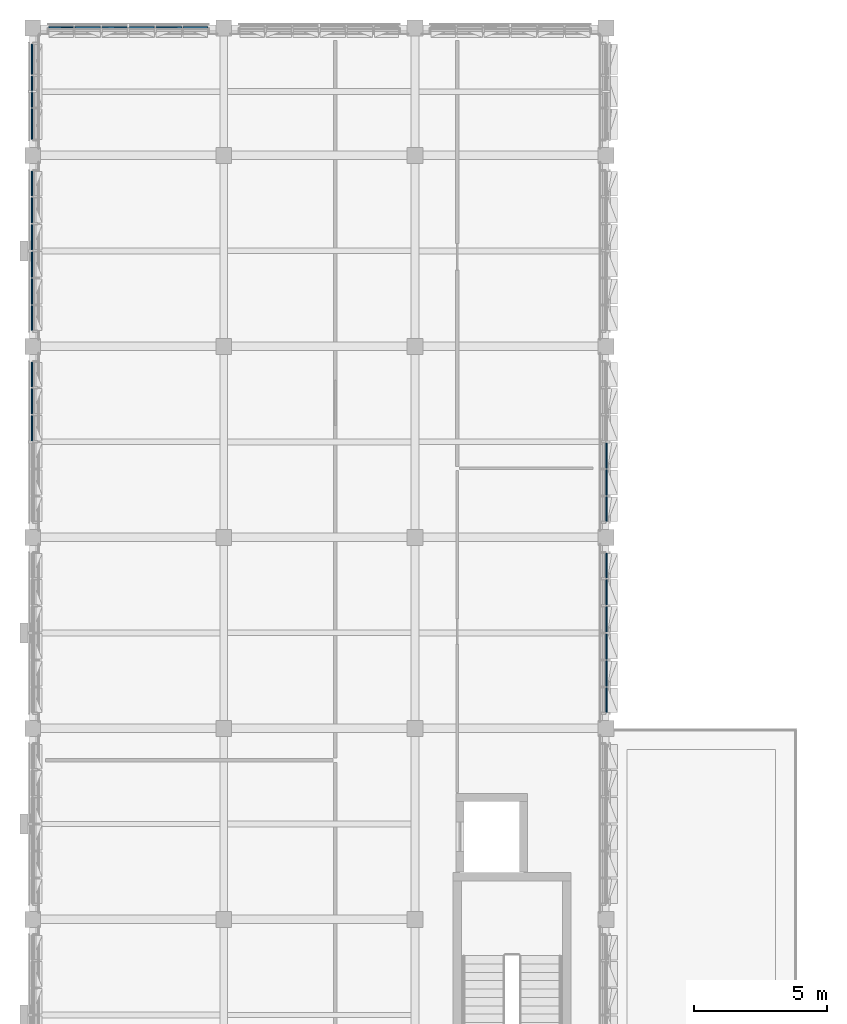
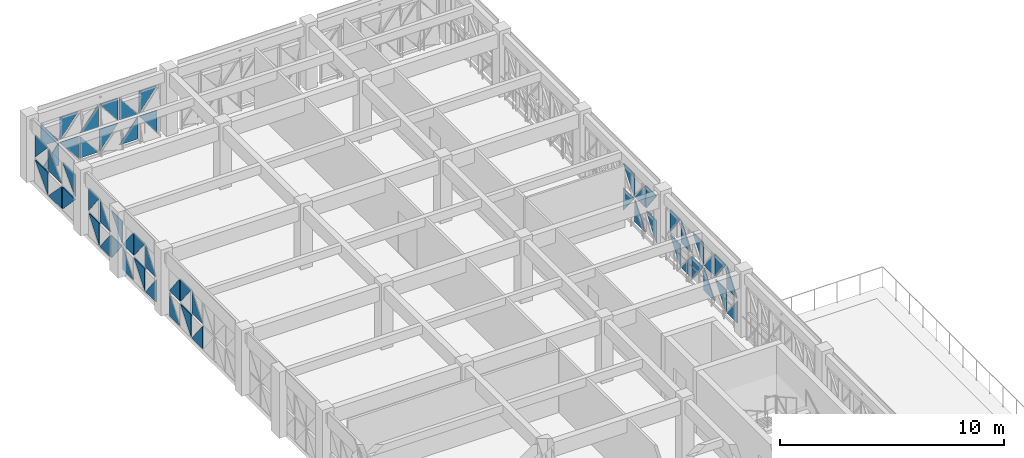
# One storey, part 44 of 99: 54 plates, 6 elements without a shape of their own.
"""IFC4 building model written with IfcOpenShell, lengths in metres."""

import ifcopenshell
import ifcopenshell.guid

model = None  # the IFC model being written
_history = None  # IfcOwnerHistory: only IFC2X3 demands one
_inside = {}  # id of a spatial element -> (the spatial element, [elements in it])
_under = {}  # id of a project, library or spatial element -> (it, [spatial elements below it])
_declared = {}  # id of a project -> (the project, [libraries it declares])
_typed = {}  # id of a type object -> (the type object, [elements of that type])
_made_of = {}  # id of a material, layer set ... -> (it, [elements and type objects made of it])


def new_model(schema):
    """Start an empty IFC model of exactly this schema.

    Asked for "IFC4X3", IfcOpenShell would pick the latest addendum, in which some entities
    have other attributes; the version numbers below select the first issue.
    IFC2X3 requires an IfcOwnerHistory on every rooted entity: one is made here for all.
    """
    global model, _history
    if schema == "IFC4X3":
        model = ifcopenshell.file(schema_version=(4, 3, 0, 0))
    else:
        model = ifcopenshell.file(schema=schema)
    _inside.clear()
    _under.clear()
    _declared.clear()
    _typed.clear()
    _made_of.clear()
    _history = None
    if model.schema == "IFC2X3":
        org = make("IfcOrganization", Name="unknown")
        user = make(
            "IfcPersonAndOrganization",
            ThePerson=make("IfcPerson", FamilyName="unknown"),
            TheOrganization=org,
        )
        app = make(
            "IfcApplication",
            ApplicationDeveloper=org,
            Version="unknown",
            ApplicationFullName="unknown",
            ApplicationIdentifier="unknown",
        )
        _history = make(
            "IfcOwnerHistory",
            OwningUser=user,
            OwningApplication=app,
            ChangeAction="ADDED",
            CreationDate=0,
        )
    return model


def make(cls, **values):
    """One entity of the class cls with the attributes given. An attribute that is None is left unset."""
    return model.create_entity(
        cls, **{name: value for name, value in values.items() if value is not None}
    )


def rooted(cls, **values):
    """An entity with a GlobalId (a new one), such as an element, a storey or a relation."""
    return make(cls, GlobalId=ifcopenshell.guid.new(), OwnerHistory=_history, **values)


def si_unit(unit_type, name, prefix=None):
    """IfcSIUnit, for example si_unit("LENGTHUNIT", "METRE", prefix="MILLI")."""
    return make("IfcSIUnit", UnitType=unit_type, Prefix=prefix, Name=name)


def assignment(units):
    """IfcUnitAssignment: the units of a project."""
    return None if units is None else make("IfcUnitAssignment", Units=units)


def point(xyz):
    """IfcCartesianPoint."""
    return None if xyz is None else make("IfcCartesianPoint", Coordinates=xyz)


def direction(xyz):
    """IfcDirection."""
    return None if xyz is None else make("IfcDirection", DirectionRatios=xyz)


def frame(location, z_axis=None, x_axis=None):
    """IfcAxis2Placement3D, a coordinate frame: its origin and axes. An axis left out is left unset."""
    return make(
        "IfcAxis2Placement3D",
        Location=point(location),
        Axis=direction(z_axis),
        RefDirection=direction(x_axis),
    )


def origin():
    """The frame at (0, 0, 0) with its axes left unset."""
    return frame((0.0, 0.0, 0.0))


def place(relative_to, where):
    """IfcLocalPlacement: puts the frame where relative to a parent placement (None: the world)."""
    return make(
        "IfcLocalPlacement", PlacementRelTo=relative_to, RelativePlacement=where
    )


def context(
    kind, dimensions, precision=None, world=None, true_north=None, identifier=None
):
    """IfcGeometricRepresentationContext, for example the 3D "Model" context."""
    return make(
        "IfcGeometricRepresentationContext",
        ContextIdentifier=identifier,
        ContextType=kind,
        CoordinateSpaceDimension=dimensions,
        Precision=precision,
        WorldCoordinateSystem=world,
        TrueNorth=true_north,
    )


def subcontext(parent, identifier, kind, view, scale=None):
    """IfcGeometricRepresentationSubContext, for example "Body" below "Model"."""
    return make(
        "IfcGeometricRepresentationSubContext",
        ContextIdentifier=identifier,
        ContextType=kind,
        ParentContext=parent,
        TargetScale=scale,
        TargetView=view,
    )


def project(units=None, contexts=None):
    """IfcProject with its units and contexts."""
    return rooted(
        "IfcProject",
        Name="project",
        RepresentationContexts=contexts,
        UnitsInContext=assignment(units),
    )


def spatial(cls, under=None, at=None, **own):
    """A site, building, storey or space (cls), placed at a placement, below another one or the project."""
    s = rooted(cls, ObjectPlacement=at, **own)
    if under is not None:
        _under.setdefault(under.id(), (under, []))[1].append(s)
    return s


def polyline(points):
    """IfcPolyline through the points."""
    return make("IfcPolyline", Points=[point(p) for p in points])


def outline(outer, holes=None, kind="AREA"):
    """IfcArbitraryClosedProfileDef: a profile drawn as a closed curve; with holes, ...WithVoids."""
    if holes is None:
        return make("IfcArbitraryClosedProfileDef", ProfileType=kind, OuterCurve=outer)
    return make(
        "IfcArbitraryProfileDefWithVoids",
        ProfileType=kind,
        OuterCurve=outer,
        InnerCurves=holes,
    )


def extrude(swept, where, along, depth):
    """IfcExtrudedAreaSolid: the profile swept, set in the frame where, extruded along a direction by depth."""
    return make(
        "IfcExtrudedAreaSolid",
        SweptArea=swept,
        Position=where,
        ExtrudedDirection=direction(along),
        Depth=depth,
    )


def shape(context_of_items, identifier, shape_type, items):
    """IfcShapeRepresentation: the items that make up one representation, for example the "Body"."""
    return make(
        "IfcShapeRepresentation",
        ContextOfItems=context_of_items,
        RepresentationIdentifier=identifier,
        RepresentationType=shape_type,
        Items=items,
    )


def material(Name=None, Category=None):
    """IfcMaterial."""
    return make("IfcMaterial", Name=Name, Category=Category)


def layer(
    of_material, thickness, ventilated=None, Name=None, Category=None, Priority=None
):
    """IfcMaterialLayer: one layer of a wall or slab, of a material (None: an air gap)."""
    return make(
        "IfcMaterialLayer",
        Material=of_material,
        LayerThickness=thickness,
        IsVentilated=ventilated,
        Name=Name,
        Category=Category,
        Priority=Priority,
    )


def layer_set(layers, Name=None):
    """IfcMaterialLayerSet."""
    return make("IfcMaterialLayerSet", MaterialLayers=layers, LayerSetName=Name)


def made_of(thing, what):
    """Note that an element or type object is made of a material, layer set ...; save() writes the relation."""
    if what is not None:
        _made_of.setdefault(what.id(), (what, []))[1].append(thing)
    return thing


def type_object(cls, material=None, **own):
    """A type object (cls), such as IfcWallType, which elements share."""
    return made_of(rooted(cls, **own), material)


def element(
    cls,
    number,
    at=None,
    inside=None,
    cuts=None,
    type_object=None,
    material=None,
    context=None,
    identifier="Body",
    shape_type=None,
    held_by="IfcProductDefinitionShape",
    body=None,
    shapes=None,
    **own,
):
    """One element of the class cls, such as IfcWall. Its Tag is "e" and its number.

    at: its placement. inside: the storey or other place that contains it. cuts: it is an
    opening in that element (IfcRelVoidsElement). A single representation is given by context,
    identifier, shape_type and body (its items); several are given by shapes. held_by: the class
    of the entity that holds the representations. save() writes the other relations.
    """
    e = rooted(cls, Tag="e%d" % number, ObjectPlacement=at, **own)
    if body is not None:
        shapes = [shape(context, identifier, shape_type, body)]
    if shapes is not None:
        e.Representation = make(held_by, Representations=shapes)
    if inside is not None:
        _inside.setdefault(inside.id(), (inside, []))[1].append(e)
    if cuts is not None:
        rooted(
            "IfcRelVoidsElement", RelatingBuildingElement=cuts, RelatedOpeningElement=e
        )
    if type_object is not None:
        _typed.setdefault(type_object.id(), (type_object, []))[1].append(e)
    return made_of(e, material)


def aggregate(whole, parts):
    """IfcRelAggregates: a whole, such as a stair, and the parts it consists of."""
    return rooted("IfcRelAggregates", RelatingObject=whole, RelatedObjects=parts)


def save(model, path):
    """Write the relations noted so far, then the file.

    IfcRelAggregates (storeys below a building ...), IfcRelContainedInSpatialStructure (elements
    in a storey), IfcRelDefinesByType, IfcRelAssociatesMaterial and IfcRelDeclares: one each for
    every whole, place, type object, material and project.
    """
    for whole, parts in _under.values():
        aggregate(whole, parts)
    for where, things in _inside.values():
        rooted(
            "IfcRelContainedInSpatialStructure",
            RelatedElements=things,
            RelatingStructure=where,
        )
    for kind, things in _typed.values():
        rooted("IfcRelDefinesByType", RelatedObjects=things, RelatingType=kind)
    for what, things in _made_of.values():
        rooted("IfcRelAssociatesMaterial", RelatedObjects=things, RelatingMaterial=what)
    for by, libraries in _declared.values():
        rooted("IfcRelDeclares", RelatingContext=by, RelatedDefinitions=libraries)
    model.write(path)


model = new_model("IFC4")

# Units and contexts
model_context = context("Model", 3, precision=1e-05, world=origin(), true_north=direction((0.0, 1.0)))
body_context = subcontext(model_context, "Body", "Model", "MODEL_VIEW")
ifc_project = project(units=[si_unit("LENGTHUNIT", "METRE"), si_unit("AREAUNIT", "SQUARE_METRE"), si_unit("VOLUMEUNIT", "CUBIC_METRE"), si_unit("PLANEANGLEUNIT", "RADIAN"), si_unit("MASSUNIT", "GRAM", prefix="KILO")], contexts=[model_context])

# Site, building, storey
site_placement = place(None, origin())
site = spatial("IfcSite", under=ifc_project, at=site_placement, CompositionType="ELEMENT")
building_placement = place(site_placement, origin())
building = spatial("IfcBuilding", under=site, at=building_placement, Name="Alvorim Cloister Faculty of Sciences", CompositionType="ELEMENT")
storey_placement = place(building_placement, frame((0.0, 0.0, 12.14990234375)))
storey = spatial("IfcBuildingStorey", under=building, at=storey_placement, Name="L03", CompositionType="ELEMENT", Elevation=12.14990234375)

# Curtain wall, plates
ifc_material_1 = material(Name="Aluminium and Low-E Glass Curtain Wall", Category="aluminium")
curtain_wall_type_1 = type_object("IfcCurtainWallType", Name="CW-TRI-6120x2850", PredefinedType="USERDEFINED", material=ifc_material_1)
curtain_wall_1_placement = place(storey_placement, origin())
curtain_wall_1 = element("IfcCurtainWall", 1, at=curtain_wall_1_placement, inside=storey, type_object=curtain_wall_type_1, Name="L03 Diagonal Cassette Curtain Wall CW-0111", ObjectType="UNITISED CURTAIN WALL", PredefinedType="USERDEFINED")
ifc_material_2 = material(Name="Double Low-E Laminated Glass", Category="glass")
ifc_layer = layer(ifc_material_2, 0.0400390625)
ifc_layer_set = layer_set([ifc_layer], Name="Double Low-E Laminated Glass")
plate_type = type_object("IfcPlateType", Name="PN-GLZ-40", PredefinedType="CURTAIN_PANEL", material=ifc_layer_set)
plate_1_placement = place(storey_placement, frame((-0.02490234375, 96.032470703125, 0.14013671875), z_axis=(0.0, 0.0, 1.0), x_axis=(0.0, 1.0, 0.0)))
plate_1 = element("IfcPlate", 2, at=plate_1_placement, type_object=plate_type, Name="Diagonal Glazed Triangle TRI-BL", PredefinedType="CURTAIN_PANEL", context=body_context, shape_type="SweptSolid", body=[
    extrude(outline(polyline([(0.0, 0.0), (0.953125, 0.0), (0.0, 1.212890625), (0.0, 0.0)])), frame((0.0, 0.02490234375, 0.0), z_axis=(0.0, -1.0, 0.0), x_axis=(1.0, 0.0, 0.0)), (0.0, 0.0, 1.0), 0.050048828125),
])
plate_2_placement = place(storey_placement, frame((-0.02490234375, 96.032470703125, 1.4951171875), z_axis=(0.0, 0.0, 1.0), x_axis=(0.0, 1.0, 0.0)))
plate_2 = element("IfcPlate", 3, at=plate_2_placement, type_object=plate_type, Name="Diagonal Glazed Triangle TRI-BR", PredefinedType="CURTAIN_PANEL", context=body_context, shape_type="SweptSolid", body=[
    extrude(outline(polyline([(0.001953125, 0.0), (0.955078125, 0.0), (0.955078125, 1.213134765625), (0.001953125, 0.0)])), frame((0.0, 0.02490234375, 0.0), z_axis=(0.0, -1.0, 0.0), x_axis=(1.0, 0.0, 0.0)), (0.0, 0.0, 1.0), 0.050048828125),
])
plate_3_placement = place(storey_placement, frame((-0.02490234375, 97.052490234375, 0.14013671875), z_axis=(0.0, 0.0, 1.0), x_axis=(0.0, 1.0, 0.0)))
plate_3 = element("IfcPlate", 4, at=plate_3_placement, type_object=plate_type, Name="Diagonal Glazed Triangle TRI-TL", PredefinedType="CURTAIN_PANEL", context=body_context, shape_type="SweptSolid", body=[
    extrude(outline(polyline([(0.953125, 1.21484375), (0.0, 1.21484375), (0.0, 0.001953125), (0.953125, 1.21484375)])), frame((0.0, 0.02490234375, 0.0), z_axis=(0.0, -1.0, 0.0), x_axis=(1.0, 0.0, 0.0)), (0.0, 0.0, 1.0), 0.050048828125),
])
plate_4_placement = place(storey_placement, frame((-0.02490234375, 97.052490234375, 1.4951171875), z_axis=(0.0, 0.0, 1.0), x_axis=(0.0, 1.0, 0.0)))
plate_4 = element("IfcPlate", 5, at=plate_4_placement, type_object=plate_type, Name="Diagonal Glazed Triangle TRI-TR", PredefinedType="CURTAIN_PANEL", context=body_context, shape_type="SweptSolid", body=[
    extrude(outline(polyline([(0.955078125, 0.001953125), (0.955078125, 1.215087890625), (0.001953125, 1.215087890625), (0.955078125, 0.001953125)])), frame((0.0, 0.02490234375, 0.0), z_axis=(0.0, -1.0, 0.0), x_axis=(1.0, 0.0, 0.0)), (0.0, 0.0, 1.0), 0.050048828125),
])
plate_5_placement = place(storey_placement, frame((-0.02490234375, 98.072509765625, 0.14013671875), z_axis=(0.0, 0.0, 1.0), x_axis=(0.0, 1.0, 0.0)))
plate_5 = element("IfcPlate", 6, at=plate_5_placement, type_object=plate_type, Name="Diagonal Glazed Triangle TRI-BR", PredefinedType="CURTAIN_PANEL", context=body_context, shape_type="SweptSolid", body=[
    extrude(outline(polyline([(0.001953125, 0.0), (0.922607421875, 0.0), (0.922607421875, 1.212890625), (0.001953125, 0.0)])), frame((0.0, 0.02490234375, 0.0), z_axis=(0.0, -1.0, 0.0), x_axis=(1.0, 0.0, 0.0)), (0.0, 0.0, 1.0), 0.050048828125),
])
plate_6_placement = place(storey_placement, frame((-0.02490234375, 98.072509765625, 1.4951171875), z_axis=(0.0, 0.0, 1.0), x_axis=(0.0, 1.0, 0.0)))
plate_6 = element("IfcPlate", 7, at=plate_6_placement, type_object=plate_type, Name="Diagonal Glazed Triangle TRI-BL", PredefinedType="CURTAIN_PANEL", context=body_context, shape_type="SweptSolid", body=[
    extrude(outline(polyline([(0.0, 0.0), (0.920654296875, 0.0), (0.0, 1.213134765625), (0.0, 0.0)])), frame((0.0, 0.02490234375, 0.0), z_axis=(0.0, -1.0, 0.0), x_axis=(1.0, 0.0, 0.0)), (0.0, 0.0, 1.0), 0.050048828125),
])
aggregate(curtain_wall_1, [plate_1, plate_2, plate_3, plate_4, plate_5, plate_6])

curtain_wall_2_placement = place(storey_placement, origin())
curtain_wall_2 = element("IfcCurtainWall", 8, at=curtain_wall_2_placement, inside=storey, type_object=curtain_wall_type_1, Name="L03 Diagonal Cassette Curtain Wall CW-0112", ObjectType="UNITISED CURTAIN WALL", PredefinedType="USERDEFINED")
plate_7_placement = place(storey_placement, frame((-0.02490234375, 100.205078125, 0.14013671875), z_axis=(0.0, 0.0, 1.0), x_axis=(0.0, 1.0, 0.0)))
plate_7 = element("IfcPlate", 9, at=plate_7_placement, type_object=plate_type, Name="Diagonal Glazed Triangle TRI-BL", PredefinedType="CURTAIN_PANEL", context=body_context, shape_type="SweptSolid", body=[
    extrude(outline(polyline([(0.0, 0.0), (0.920654296875, 0.0), (0.0, 1.212890625), (0.0, 0.0)])), frame((0.0, 0.02490234375, 0.0), z_axis=(0.0, -1.0, 0.0), x_axis=(1.0, 0.0, 0.0)), (0.0, 0.0, 1.0), 0.050048828125),
])
plate_8_placement = place(storey_placement, frame((-0.02490234375, 100.205078125, 1.4951171875), z_axis=(0.0, 0.0, 1.0), x_axis=(0.0, 1.0, 0.0)))
plate_8 = element("IfcPlate", 10, at=plate_8_placement, type_object=plate_type, Name="Diagonal Glazed Triangle TRI-BR", PredefinedType="CURTAIN_PANEL", context=body_context, shape_type="SweptSolid", body=[
    extrude(outline(polyline([(0.001953125, 0.0), (0.922607421875, 0.0), (0.922607421875, 1.213134765625), (0.001953125, 0.0)])), frame((0.0, 0.02490234375, 0.0), z_axis=(0.0, -1.0, 0.0), x_axis=(1.0, 0.0, 0.0)), (0.0, 0.0, 1.0), 0.050048828125),
])
plate_9_placement = place(storey_placement, frame((-0.02490234375, 101.1923828125, 0.14013671875), z_axis=(0.0, 0.0, 1.0), x_axis=(0.0, 1.0, 0.0)))
plate_9 = element("IfcPlate", 11, at=plate_9_placement, type_object=plate_type, Name="Diagonal Glazed Triangle TRI-TL", PredefinedType="CURTAIN_PANEL", context=body_context, shape_type="SweptSolid", body=[
    extrude(outline(polyline([(0.953125, 1.21484375), (0.0, 1.21484375), (0.0, 0.001953125), (0.953125, 1.21484375)])), frame((0.0, 0.02490234375, 0.0), z_axis=(0.0, -1.0, 0.0), x_axis=(1.0, 0.0, 0.0)), (0.0, 0.0, 1.0), 0.050048828125),
])
plate_10_placement = place(storey_placement, frame((-0.02490234375, 101.1923828125, 1.4951171875), z_axis=(0.0, 0.0, 1.0), x_axis=(0.0, 1.0, 0.0)))
plate_10 = element("IfcPlate", 12, at=plate_10_placement, type_object=plate_type, Name="Diagonal Glazed Triangle TRI-TR", PredefinedType="CURTAIN_PANEL", context=body_context, shape_type="SweptSolid", body=[
    extrude(outline(polyline([(0.955078125, 0.001953125), (0.955078125, 1.215087890625), (0.001953125, 1.215087890625), (0.955078125, 0.001953125)])), frame((0.0, 0.02490234375, 0.0), z_axis=(0.0, -1.0, 0.0), x_axis=(1.0, 0.0, 0.0)), (0.0, 0.0, 1.0), 0.050048828125),
])
plate_11_placement = place(storey_placement, frame((-0.02490234375, 102.21240234375, 0.14013671875), z_axis=(0.0, 0.0, 1.0), x_axis=(0.0, 1.0, 0.0)))
plate_11 = element("IfcPlate", 13, at=plate_11_placement, type_object=plate_type, Name="Diagonal Glazed Triangle TRI-BR", PredefinedType="CURTAIN_PANEL", context=body_context, shape_type="SweptSolid", body=[
    extrude(outline(polyline([(0.001953125, 0.0), (0.955078125, 0.0), (0.955078125, 1.212890625), (0.001953125, 0.0)])), frame((0.0, 0.02490234375, 0.0), z_axis=(0.0, -1.0, 0.0), x_axis=(1.0, 0.0, 0.0)), (0.0, 0.0, 1.0), 0.050048828125),
])
plate_12_placement = place(storey_placement, frame((-0.02490234375, 102.21240234375, 1.4951171875), z_axis=(0.0, 0.0, 1.0), x_axis=(0.0, 1.0, 0.0)))
plate_12 = element("IfcPlate", 14, at=plate_12_placement, type_object=plate_type, Name="Diagonal Glazed Triangle TRI-BL", PredefinedType="CURTAIN_PANEL", context=body_context, shape_type="SweptSolid", body=[
    extrude(outline(polyline([(0.0, 0.0), (0.953125, 0.0), (0.0, 1.213134765625), (0.0, 0.0)])), frame((0.0, 0.02490234375, 0.0), z_axis=(0.0, -1.0, 0.0), x_axis=(1.0, 0.0, 0.0)), (0.0, 0.0, 1.0), 0.050048828125),
])
plate_13_placement = place(storey_placement, frame((-0.02490234375, 103.232421875, 0.14013671875), z_axis=(0.0, 0.0, 1.0), x_axis=(0.0, 1.0, 0.0)))
plate_13 = element("IfcPlate", 15, at=plate_13_placement, type_object=plate_type, Name="Diagonal Glazed Triangle TRI-TR", PredefinedType="CURTAIN_PANEL", context=body_context, shape_type="SweptSolid", body=[
    extrude(outline(polyline([(0.955078125, 0.001953125), (0.955078125, 1.21484375), (0.001953125, 1.21484375), (0.955078125, 0.001953125)])), frame((0.0, 0.02490234375, 0.0), z_axis=(0.0, -1.0, 0.0), x_axis=(1.0, 0.0, 0.0)), (0.0, 0.0, 1.0), 0.050048828125),
])
plate_14_placement = place(storey_placement, frame((-0.02490234375, 103.232421875, 1.4951171875), z_axis=(0.0, 0.0, 1.0), x_axis=(0.0, 1.0, 0.0)))
plate_14 = element("IfcPlate", 16, at=plate_14_placement, type_object=plate_type, Name="Diagonal Glazed Triangle TRI-TL", PredefinedType="CURTAIN_PANEL", context=body_context, shape_type="SweptSolid", body=[
    extrude(outline(polyline([(0.953125, 1.215087890625), (0.0, 1.215087890625), (0.0, 0.001953125), (0.953125, 1.215087890625)])), frame((0.0, 0.02490234375, 0.0), z_axis=(0.0, -1.0, 0.0), x_axis=(1.0, 0.0, 0.0)), (0.0, 0.0, 1.0), 0.050048828125),
])
plate_15_placement = place(storey_placement, frame((-0.02490234375, 104.25244140625, 0.14013671875), z_axis=(0.0, 0.0, 1.0), x_axis=(0.0, 1.0, 0.0)))
plate_15 = element("IfcPlate", 17, at=plate_15_placement, type_object=plate_type, Name="Diagonal Glazed Triangle TRI-BL", PredefinedType="CURTAIN_PANEL", context=body_context, shape_type="SweptSolid", body=[
    extrude(outline(polyline([(0.0, 0.0), (0.953125, 0.0), (0.0, 1.212890625), (0.0, 0.0)])), frame((0.0, 0.02490234375, 0.0), z_axis=(0.0, -1.0, 0.0), x_axis=(1.0, 0.0, 0.0)), (0.0, 0.0, 1.0), 0.050048828125),
])
plate_16_placement = place(storey_placement, frame((-0.02490234375, 104.25244140625, 1.4951171875), z_axis=(0.0, 0.0, 1.0), x_axis=(0.0, 1.0, 0.0)))
plate_16 = element("IfcPlate", 18, at=plate_16_placement, type_object=plate_type, Name="Diagonal Glazed Triangle TRI-BR", PredefinedType="CURTAIN_PANEL", context=body_context, shape_type="SweptSolid", body=[
    extrude(outline(polyline([(0.001953125, 0.0), (0.955078125, 0.0), (0.955078125, 1.213134765625), (0.001953125, 0.0)])), frame((0.0, 0.02490234375, 0.0), z_axis=(0.0, -1.0, 0.0), x_axis=(1.0, 0.0, 0.0)), (0.0, 0.0, 1.0), 0.050048828125),
])
plate_17_placement = place(storey_placement, frame((-0.02490234375, 105.2724609375, 0.14013671875), z_axis=(0.0, 0.0, 1.0), x_axis=(0.0, 1.0, 0.0)))
plate_17 = element("IfcPlate", 19, at=plate_17_placement, type_object=plate_type, Name="Diagonal Glazed Triangle TRI-TL", PredefinedType="CURTAIN_PANEL", context=body_context, shape_type="SweptSolid", body=[
    extrude(outline(polyline([(0.920654296875, 1.21484375), (0.0, 1.21484375), (0.0, 0.001953125), (0.920654296875, 1.21484375)])), frame((0.0, 0.02490234375, 0.0), z_axis=(0.0, -1.0, 0.0), x_axis=(1.0, 0.0, 0.0)), (0.0, 0.0, 1.0), 0.050048828125),
])
plate_18_placement = place(storey_placement, frame((-0.02490234375, 105.2724609375, 1.4951171875), z_axis=(0.0, 0.0, 1.0), x_axis=(0.0, 1.0, 0.0)))
plate_18 = element("IfcPlate", 20, at=plate_18_placement, type_object=plate_type, Name="Diagonal Glazed Triangle TRI-TR", PredefinedType="CURTAIN_PANEL", context=body_context, shape_type="SweptSolid", body=[
    extrude(outline(polyline([(0.922607421875, 0.001953125), (0.922607421875, 1.215087890625), (0.001953125, 1.215087890625), (0.922607421875, 0.001953125)])), frame((0.0, 0.02490234375, 0.0), z_axis=(0.0, -1.0, 0.0), x_axis=(1.0, 0.0, 0.0)), (0.0, 0.0, 1.0), 0.050048828125),
])
aggregate(curtain_wall_2, [plate_7, plate_8, plate_9, plate_10, plate_11, plate_12, plate_13, plate_14, plate_15, plate_16, plate_17, plate_18])

curtain_wall_type_2 = type_object("IfcCurtainWallType", Name="CW-TRI-3720x2850", PredefinedType="USERDEFINED", material=ifc_material_1)
curtain_wall_3_placement = place(storey_placement, origin())
curtain_wall_3 = element("IfcCurtainWall", 21, at=curtain_wall_3_placement, inside=storey, type_object=curtain_wall_type_2, Name="L03 Diagonal Cassette Curtain Wall CW-0113", ObjectType="UNITISED CURTAIN WALL", PredefinedType="USERDEFINED")
plate_19_placement = place(storey_placement, frame((-0.02490234375, 107.405029296875, 0.14013671875), z_axis=(0.0, 0.0, 1.0), x_axis=(0.0, 1.0, 0.0)))
plate_19 = element("IfcPlate", 22, at=plate_19_placement, type_object=plate_type, Name="Diagonal Glazed Triangle TRI-TR", PredefinedType="CURTAIN_PANEL", context=body_context, shape_type="SweptSolid", body=[
    extrude(outline(polyline([(1.142578125, 0.001953125), (1.142578125, 1.21484375), (0.001953125, 1.21484375), (1.142578125, 0.001953125)])), frame((0.0, 0.02490234375, 0.0), z_axis=(0.0, -1.0, 0.0), x_axis=(1.0, 0.0, 0.0)), (0.0, 0.0, 1.0), 0.050048828125),
])
plate_20_placement = place(storey_placement, frame((-0.02490234375, 107.405029296875, 1.4951171875), z_axis=(0.0, 0.0, 1.0), x_axis=(0.0, 1.0, 0.0)))
plate_20 = element("IfcPlate", 23, at=plate_20_placement, type_object=plate_type, Name="Diagonal Glazed Triangle TRI-TL", PredefinedType="CURTAIN_PANEL", context=body_context, shape_type="SweptSolid", body=[
    extrude(outline(polyline([(1.140625, 1.215087890625), (0.0, 1.215087890625), (0.0, 0.001953125), (1.140625, 1.215087890625)])), frame((0.0, 0.02490234375, 0.0), z_axis=(0.0, -1.0, 0.0), x_axis=(1.0, 0.0, 0.0)), (0.0, 0.0, 1.0), 0.050048828125),
])
plate_21_placement = place(storey_placement, frame((-0.02490234375, 108.612548828125, 0.14013671875), z_axis=(0.0, 0.0, 1.0), x_axis=(0.0, 1.0, 0.0)))
plate_21 = element("IfcPlate", 24, at=plate_21_placement, type_object=plate_type, Name="Diagonal Glazed Triangle TRI-BL", PredefinedType="CURTAIN_PANEL", context=body_context, shape_type="SweptSolid", body=[
    extrude(outline(polyline([(0.0, 0.0), (1.173095703125, 0.0), (0.0, 1.212890625), (0.0, 0.0)])), frame((0.0, 0.02490234375, 0.0), z_axis=(0.0, -1.0, 0.0), x_axis=(1.0, 0.0, 0.0)), (0.0, 0.0, 1.0), 0.050048828125),
])
plate_22_placement = place(storey_placement, frame((-0.02490234375, 108.612548828125, 1.4951171875), z_axis=(0.0, 0.0, 1.0), x_axis=(0.0, 1.0, 0.0)))
plate_22 = element("IfcPlate", 25, at=plate_22_placement, type_object=plate_type, Name="Diagonal Glazed Triangle TRI-BR", PredefinedType="CURTAIN_PANEL", context=body_context, shape_type="SweptSolid", body=[
    extrude(outline(polyline([(0.001953125, 0.0), (1.175048828125, 0.0), (1.175048828125, 1.213134765625), (0.001953125, 0.0)])), frame((0.0, 0.02490234375, 0.0), z_axis=(0.0, -1.0, 0.0), x_axis=(1.0, 0.0, 0.0)), (0.0, 0.0, 1.0), 0.050048828125),
])
plate_23_placement = place(storey_placement, frame((-0.02490234375, 109.8525390625, 0.14013671875), z_axis=(0.0, 0.0, 1.0), x_axis=(0.0, 1.0, 0.0)))
plate_23 = element("IfcPlate", 26, at=plate_23_placement, type_object=plate_type, Name="Diagonal Glazed Triangle TRI-TL", PredefinedType="CURTAIN_PANEL", context=body_context, shape_type="SweptSolid", body=[
    extrude(outline(polyline([(1.140625, 1.21484375), (0.0, 1.21484375), (0.0, 0.001953125), (1.140625, 1.21484375)])), frame((0.0, 0.02490234375, 0.0), z_axis=(0.0, -1.0, 0.0), x_axis=(1.0, 0.0, 0.0)), (0.0, 0.0, 1.0), 0.050048828125),
])
plate_24_placement = place(storey_placement, frame((-0.02490234375, 109.8525390625, 1.4951171875), z_axis=(0.0, 0.0, 1.0), x_axis=(0.0, 1.0, 0.0)))
plate_24 = element("IfcPlate", 27, at=plate_24_placement, type_object=plate_type, Name="Diagonal Glazed Triangle TRI-TR", PredefinedType="CURTAIN_PANEL", context=body_context, shape_type="SweptSolid", body=[
    extrude(outline(polyline([(1.142578125, 0.001953125), (1.142578125, 1.215087890625), (0.001953125, 1.215087890625), (1.142578125, 0.001953125)])), frame((0.0, 0.02490234375, 0.0), z_axis=(0.0, -1.0, 0.0), x_axis=(1.0, 0.0, 0.0)), (0.0, 0.0, 1.0), 0.050048828125),
])
aggregate(curtain_wall_3, [plate_19, plate_20, plate_21, plate_22, plate_23, plate_24])

curtain_wall_4_placement = place(storey_placement, origin())
curtain_wall_4 = element("IfcCurtainWall", 28, at=curtain_wall_4_placement, inside=storey, type_object=curtain_wall_type_1, Name="L03 Diagonal Cassette Curtain Wall CW-0114", ObjectType="UNITISED CURTAIN WALL", PredefinedType="USERDEFINED")
plate_25_placement = place(storey_placement, frame((0.60498046875, 111.625, 0.14013671875), z_axis=(0.0, 0.0, 1.0), x_axis=(1.0, 0.0, 0.0)))
plate_25 = element("IfcPlate", 29, at=plate_25_placement, type_object=plate_type, Name="Diagonal Glazed Triangle TRI-BR", PredefinedType="CURTAIN_PANEL", context=body_context, shape_type="SweptSolid", body=[
    extrude(outline(polyline([(0.001953125, 0.0), (0.922607421875, 0.0), (0.922607421875, 1.212890625), (0.001953125, 0.0)])), frame((0.0, 0.02490234375, 0.0), z_axis=(0.0, -1.0, 0.0), x_axis=(1.0, 0.0, 0.0)), (0.0, 0.0, 1.0), 0.050048828125),
])
plate_26_placement = place(storey_placement, frame((0.60498046875, 111.625, 1.4951171875), z_axis=(0.0, 0.0, 1.0), x_axis=(1.0, 0.0, 0.0)))
plate_26 = element("IfcPlate", 30, at=plate_26_placement, type_object=plate_type, Name="Diagonal Glazed Triangle TRI-BL", PredefinedType="CURTAIN_PANEL", context=body_context, shape_type="SweptSolid", body=[
    extrude(outline(polyline([(0.0, 0.0), (0.920654296875, 0.0), (0.0, 1.213134765625), (0.0, 0.0)])), frame((0.0, 0.02490234375, 0.0), z_axis=(0.0, -1.0, 0.0), x_axis=(1.0, 0.0, 0.0)), (0.0, 0.0, 1.0), 0.050048828125),
])
plate_27_placement = place(storey_placement, frame((1.592529296875, 111.625, 0.14013671875), z_axis=(0.0, 0.0, 1.0), x_axis=(1.0, 0.0, 0.0)))
plate_27 = element("IfcPlate", 31, at=plate_27_placement, type_object=plate_type, Name="Diagonal Glazed Triangle TRI-TR", PredefinedType="CURTAIN_PANEL", context=body_context, shape_type="SweptSolid", body=[
    extrude(outline(polyline([(0.955078125, 0.001953125), (0.955078125, 1.21484375), (0.001953125, 1.21484375), (0.955078125, 0.001953125)])), frame((0.0, 0.02490234375, 0.0), z_axis=(0.0, -1.0, 0.0), x_axis=(1.0, 0.0, 0.0)), (0.0, 0.0, 1.0), 0.050048828125),
])
plate_28_placement = place(storey_placement, frame((1.592529296875, 111.625, 1.4951171875), z_axis=(0.0, 0.0, 1.0), x_axis=(1.0, 0.0, 0.0)))
plate_28 = element("IfcPlate", 32, at=plate_28_placement, type_object=plate_type, Name="Diagonal Glazed Triangle TRI-TL", PredefinedType="CURTAIN_PANEL", context=body_context, shape_type="SweptSolid", body=[
    extrude(outline(polyline([(0.953125, 1.215087890625), (0.0, 1.215087890625), (0.0, 0.001953125), (0.953125, 1.215087890625)])), frame((0.0, 0.02490234375, 0.0), z_axis=(0.0, -1.0, 0.0), x_axis=(1.0, 0.0, 0.0)), (0.0, 0.0, 1.0), 0.050048828125),
])
plate_29_placement = place(storey_placement, frame((2.612548828125, 111.625, 0.14013671875), z_axis=(0.0, 0.0, 1.0), x_axis=(1.0, 0.0, 0.0)))
plate_29 = element("IfcPlate", 33, at=plate_29_placement, type_object=plate_type, Name="Diagonal Glazed Triangle TRI-BL", PredefinedType="CURTAIN_PANEL", context=body_context, shape_type="SweptSolid", body=[
    extrude(outline(polyline([(0.0, 0.0), (0.953125, 0.0), (0.0, 1.212890625), (0.0, 0.0)])), frame((0.0, 0.02490234375, 0.0), z_axis=(0.0, -1.0, 0.0), x_axis=(1.0, 0.0, 0.0)), (0.0, 0.0, 1.0), 0.050048828125),
])
plate_30_placement = place(storey_placement, frame((2.612548828125, 111.625, 1.4951171875), z_axis=(0.0, 0.0, 1.0), x_axis=(1.0, 0.0, 0.0)))
plate_30 = element("IfcPlate", 34, at=plate_30_placement, type_object=plate_type, Name="Diagonal Glazed Triangle TRI-BR", PredefinedType="CURTAIN_PANEL", context=body_context, shape_type="SweptSolid", body=[
    extrude(outline(polyline([(0.001953125, 0.0), (0.955078125, 0.0), (0.955078125, 1.213134765625), (0.001953125, 0.0)])), frame((0.0, 0.02490234375, 0.0), z_axis=(0.0, -1.0, 0.0), x_axis=(1.0, 0.0, 0.0)), (0.0, 0.0, 1.0), 0.050048828125),
])
plate_31_placement = place(storey_placement, frame((3.632568359375, 111.625, 0.14013671875), z_axis=(0.0, 0.0, 1.0), x_axis=(1.0, 0.0, 0.0)))
plate_31 = element("IfcPlate", 35, at=plate_31_placement, type_object=plate_type, Name="Diagonal Glazed Triangle TRI-TL", PredefinedType="CURTAIN_PANEL", context=body_context, shape_type="SweptSolid", body=[
    extrude(outline(polyline([(0.953125, 1.21484375), (0.0, 1.21484375), (0.0, 0.001953125), (0.953125, 1.21484375)])), frame((0.0, 0.02490234375, 0.0), z_axis=(0.0, -1.0, 0.0), x_axis=(1.0, 0.0, 0.0)), (0.0, 0.0, 1.0), 0.050048828125),
])
plate_32_placement = place(storey_placement, frame((3.632568359375, 111.625, 1.4951171875), z_axis=(0.0, 0.0, 1.0), x_axis=(1.0, 0.0, 0.0)))
plate_32 = element("IfcPlate", 36, at=plate_32_placement, type_object=plate_type, Name="Diagonal Glazed Triangle TRI-TR", PredefinedType="CURTAIN_PANEL", context=body_context, shape_type="SweptSolid", body=[
    extrude(outline(polyline([(0.955078125, 0.001953125), (0.955078125, 1.215087890625), (0.001953125, 1.215087890625), (0.955078125, 0.001953125)])), frame((0.0, 0.02490234375, 0.0), z_axis=(0.0, -1.0, 0.0), x_axis=(1.0, 0.0, 0.0)), (0.0, 0.0, 1.0), 0.050048828125),
])
plate_33_placement = place(storey_placement, frame((4.652587890625, 111.625, 0.14013671875), z_axis=(0.0, 0.0, 1.0), x_axis=(1.0, 0.0, 0.0)))
plate_33 = element("IfcPlate", 37, at=plate_33_placement, type_object=plate_type, Name="Diagonal Glazed Triangle TRI-BR", PredefinedType="CURTAIN_PANEL", context=body_context, shape_type="SweptSolid", body=[
    extrude(outline(polyline([(0.001953125, 0.0), (0.955078125, 0.0), (0.955078125, 1.212890625), (0.001953125, 0.0)])), frame((0.0, 0.02490234375, 0.0), z_axis=(0.0, -1.0, 0.0), x_axis=(1.0, 0.0, 0.0)), (0.0, 0.0, 1.0), 0.050048828125),
])
plate_34_placement = place(storey_placement, frame((4.652587890625, 111.625, 1.4951171875), z_axis=(0.0, 0.0, 1.0), x_axis=(1.0, 0.0, 0.0)))
plate_34 = element("IfcPlate", 38, at=plate_34_placement, type_object=plate_type, Name="Diagonal Glazed Triangle TRI-BL", PredefinedType="CURTAIN_PANEL", context=body_context, shape_type="SweptSolid", body=[
    extrude(outline(polyline([(0.0, 0.0), (0.953125, 0.0), (0.0, 1.213134765625), (0.0, 0.0)])), frame((0.0, 0.02490234375, 0.0), z_axis=(0.0, -1.0, 0.0), x_axis=(1.0, 0.0, 0.0)), (0.0, 0.0, 1.0), 0.050048828125),
])
plate_35_placement = place(storey_placement, frame((5.672607421875, 111.625, 0.14013671875), z_axis=(0.0, 0.0, 1.0), x_axis=(1.0, 0.0, 0.0)))
plate_35 = element("IfcPlate", 39, at=plate_35_placement, type_object=plate_type, Name="Diagonal Glazed Triangle TRI-TR", PredefinedType="CURTAIN_PANEL", context=body_context, shape_type="SweptSolid", body=[
    extrude(outline(polyline([(0.922607421875, 0.001953125), (0.922607421875, 1.21484375), (0.001953125, 1.21484375), (0.922607421875, 0.001953125)])), frame((0.0, 0.02490234375, 0.0), z_axis=(0.0, -1.0, 0.0), x_axis=(1.0, 0.0, 0.0)), (0.0, 0.0, 1.0), 0.050048828125),
])
plate_36_placement = place(storey_placement, frame((5.672607421875, 111.625, 1.4951171875), z_axis=(0.0, 0.0, 1.0), x_axis=(1.0, 0.0, 0.0)))
plate_36 = element("IfcPlate", 40, at=plate_36_placement, type_object=plate_type, Name="Diagonal Glazed Triangle TRI-TL", PredefinedType="CURTAIN_PANEL", context=body_context, shape_type="SweptSolid", body=[
    extrude(outline(polyline([(0.920654296875, 1.215087890625), (0.0, 1.215087890625), (0.0, 0.001953125), (0.920654296875, 1.215087890625)])), frame((0.0, 0.02490234375, 0.0), z_axis=(0.0, -1.0, 0.0), x_axis=(1.0, 0.0, 0.0)), (0.0, 0.0, 1.0), 0.050048828125),
])
aggregate(curtain_wall_4, [plate_25, plate_26, plate_27, plate_28, plate_29, plate_30, plate_31, plate_32, plate_33, plate_34, plate_35, plate_36])

curtain_wall_5_placement = place(storey_placement, origin())
curtain_wall_5 = element("IfcCurtainWall", 41, at=curtain_wall_5_placement, inside=storey, type_object=curtain_wall_type_1, Name="L03 Diagonal Cassette Curtain Wall CW-0119", ObjectType="UNITISED CURTAIN WALL", PredefinedType="USERDEFINED")
plate_37_placement = place(storey_placement, frame((21.625, 93.0048828125, 0.14013671875), z_axis=(0.0, 0.0, 1.0), x_axis=(0.0, 1.0, 0.0)))
plate_37 = element("IfcPlate", 42, at=plate_37_placement, type_object=plate_type, Name="Diagonal Glazed Triangle TRI-TL", PredefinedType="CURTAIN_PANEL", context=body_context, shape_type="SweptSolid", body=[
    extrude(outline(polyline([(0.920654296875, 1.21484375), (0.0, 1.21484375), (0.0, 0.001953125), (0.920654296875, 1.21484375)])), frame((0.0, 0.02490234375, 0.0), z_axis=(0.0, -1.0, 0.0), x_axis=(1.0, 0.0, 0.0)), (0.0, 0.0, 1.0), 0.050048828125),
])
plate_38_placement = place(storey_placement, frame((21.625, 93.0048828125, 1.4951171875), z_axis=(0.0, 0.0, 1.0), x_axis=(0.0, 1.0, 0.0)))
plate_38 = element("IfcPlate", 43, at=plate_38_placement, type_object=plate_type, Name="Diagonal Glazed Triangle TRI-TR", PredefinedType="CURTAIN_PANEL", context=body_context, shape_type="SweptSolid", body=[
    extrude(outline(polyline([(0.922607421875, 0.001953125), (0.922607421875, 1.215087890625), (0.001953125, 1.215087890625), (0.922607421875, 0.001953125)])), frame((0.0, 0.02490234375, 0.0), z_axis=(0.0, -1.0, 0.0), x_axis=(1.0, 0.0, 0.0)), (0.0, 0.0, 1.0), 0.050048828125),
])
plate_39_placement = place(storey_placement, frame((21.625, 93.992431640625, 0.14013671875), z_axis=(0.0, 0.0, 1.0), x_axis=(0.0, 1.0, 0.0)))
plate_39 = element("IfcPlate", 44, at=plate_39_placement, type_object=plate_type, Name="Diagonal Glazed Triangle TRI-BR", PredefinedType="CURTAIN_PANEL", context=body_context, shape_type="SweptSolid", body=[
    extrude(outline(polyline([(0.001953125, 0.0), (0.955078125, 0.0), (0.955078125, 1.212890625), (0.001953125, 0.0)])), frame((0.0, 0.02490234375, 0.0), z_axis=(0.0, -1.0, 0.0), x_axis=(1.0, 0.0, 0.0)), (0.0, 0.0, 1.0), 0.050048828125),
])
plate_40_placement = place(storey_placement, frame((21.625, 93.992431640625, 1.4951171875), z_axis=(0.0, 0.0, 1.0), x_axis=(0.0, 1.0, 0.0)))
plate_40 = element("IfcPlate", 45, at=plate_40_placement, type_object=plate_type, Name="Diagonal Glazed Triangle TRI-BL", PredefinedType="CURTAIN_PANEL", context=body_context, shape_type="SweptSolid", body=[
    extrude(outline(polyline([(0.0, 0.0), (0.953125, 0.0), (0.0, 1.213134765625), (0.0, 0.0)])), frame((0.0, 0.02490234375, 0.0), z_axis=(0.0, -1.0, 0.0), x_axis=(1.0, 0.0, 0.0)), (0.0, 0.0, 1.0), 0.050048828125),
])
plate_41_placement = place(storey_placement, frame((21.625, 95.012451171875, 0.14013671875), z_axis=(0.0, 0.0, 1.0), x_axis=(0.0, 1.0, 0.0)))
plate_41 = element("IfcPlate", 46, at=plate_41_placement, type_object=plate_type, Name="Diagonal Glazed Triangle TRI-TR", PredefinedType="CURTAIN_PANEL", context=body_context, shape_type="SweptSolid", body=[
    extrude(outline(polyline([(0.955078125, 0.001953125), (0.955078125, 1.21484375), (0.001953125, 1.21484375), (0.955078125, 0.001953125)])), frame((0.0, 0.02490234375, 0.0), z_axis=(0.0, -1.0, 0.0), x_axis=(1.0, 0.0, 0.0)), (0.0, 0.0, 1.0), 0.050048828125),
])
plate_42_placement = place(storey_placement, frame((21.625, 95.012451171875, 1.4951171875), z_axis=(0.0, 0.0, 1.0), x_axis=(0.0, 1.0, 0.0)))
plate_42 = element("IfcPlate", 47, at=plate_42_placement, type_object=plate_type, Name="Diagonal Glazed Triangle TRI-TL", PredefinedType="CURTAIN_PANEL", context=body_context, shape_type="SweptSolid", body=[
    extrude(outline(polyline([(0.953125, 1.215087890625), (0.0, 1.215087890625), (0.0, 0.001953125), (0.953125, 1.215087890625)])), frame((0.0, 0.02490234375, 0.0), z_axis=(0.0, -1.0, 0.0), x_axis=(1.0, 0.0, 0.0)), (0.0, 0.0, 1.0), 0.050048828125),
])
aggregate(curtain_wall_5, [plate_37, plate_38, plate_39, plate_40, plate_41, plate_42])

curtain_wall_6_placement = place(storey_placement, origin())
curtain_wall_6 = element("IfcCurtainWall", 48, at=curtain_wall_6_placement, inside=storey, type_object=curtain_wall_type_1, Name="L03 Diagonal Cassette Curtain Wall CW-0120", ObjectType="UNITISED CURTAIN WALL", PredefinedType="USERDEFINED")
plate_43_placement = place(storey_placement, frame((21.625, 85.804931640625, 0.14013671875), z_axis=(0.0, 0.0, 1.0), x_axis=(0.0, 1.0, 0.0)))
plate_43 = element("IfcPlate", 49, at=plate_43_placement, type_object=plate_type, Name="Diagonal Glazed Triangle TRI-BL", PredefinedType="CURTAIN_PANEL", context=body_context, shape_type="SweptSolid", body=[
    extrude(outline(polyline([(0.0, 0.0), (0.920654296875, 0.0), (0.0, 1.212890625), (0.0, 0.0)])), frame((0.0, 0.02490234375, 0.0), z_axis=(0.0, -1.0, 0.0), x_axis=(1.0, 0.0, 0.0)), (0.0, 0.0, 1.0), 0.050048828125),
])
plate_44_placement = place(storey_placement, frame((21.625, 85.804931640625, 1.4951171875), z_axis=(0.0, 0.0, 1.0), x_axis=(0.0, 1.0, 0.0)))
plate_44 = element("IfcPlate", 50, at=plate_44_placement, type_object=plate_type, Name="Diagonal Glazed Triangle TRI-BR", PredefinedType="CURTAIN_PANEL", context=body_context, shape_type="SweptSolid", body=[
    extrude(outline(polyline([(0.001953125, 0.0), (0.922607421875, 0.0), (0.922607421875, 1.213134765625), (0.001953125, 0.0)])), frame((0.0, 0.02490234375, 0.0), z_axis=(0.0, -1.0, 0.0), x_axis=(1.0, 0.0, 0.0)), (0.0, 0.0, 1.0), 0.050048828125),
])
plate_45_placement = place(storey_placement, frame((21.625, 86.79248046875, 0.14013671875), z_axis=(0.0, 0.0, 1.0), x_axis=(0.0, 1.0, 0.0)))
plate_45 = element("IfcPlate", 51, at=plate_45_placement, type_object=plate_type, Name="Diagonal Glazed Triangle TRI-TL", PredefinedType="CURTAIN_PANEL", context=body_context, shape_type="SweptSolid", body=[
    extrude(outline(polyline([(0.953125, 1.21484375), (0.0, 1.21484375), (0.0, 0.001953125), (0.953125, 1.21484375)])), frame((0.0, 0.02490234375, 0.0), z_axis=(0.0, -1.0, 0.0), x_axis=(1.0, 0.0, 0.0)), (0.0, 0.0, 1.0), 0.050048828125),
])
plate_46_placement = place(storey_placement, frame((21.625, 86.79248046875, 1.4951171875), z_axis=(0.0, 0.0, 1.0), x_axis=(0.0, 1.0, 0.0)))
plate_46 = element("IfcPlate", 52, at=plate_46_placement, type_object=plate_type, Name="Diagonal Glazed Triangle TRI-TR", PredefinedType="CURTAIN_PANEL", context=body_context, shape_type="SweptSolid", body=[
    extrude(outline(polyline([(0.955078125, 0.001953125), (0.955078125, 1.215087890625), (0.001953125, 1.215087890625), (0.955078125, 0.001953125)])), frame((0.0, 0.02490234375, 0.0), z_axis=(0.0, -1.0, 0.0), x_axis=(1.0, 0.0, 0.0)), (0.0, 0.0, 1.0), 0.050048828125),
])
plate_47_placement = place(storey_placement, frame((21.625, 87.8125, 0.14013671875), z_axis=(0.0, 0.0, 1.0), x_axis=(0.0, 1.0, 0.0)))
plate_47 = element("IfcPlate", 53, at=plate_47_placement, type_object=plate_type, Name="Diagonal Glazed Triangle TRI-BR", PredefinedType="CURTAIN_PANEL", context=body_context, shape_type="SweptSolid", body=[
    extrude(outline(polyline([(0.001953125, 0.0), (0.955078125, 0.0), (0.955078125, 1.212890625), (0.001953125, 0.0)])), frame((0.0, 0.02490234375, 0.0), z_axis=(0.0, -1.0, 0.0), x_axis=(1.0, 0.0, 0.0)), (0.0, 0.0, 1.0), 0.050048828125),
])
plate_48_placement = place(storey_placement, frame((21.625, 87.8125, 1.4951171875), z_axis=(0.0, 0.0, 1.0), x_axis=(0.0, 1.0, 0.0)))
plate_48 = element("IfcPlate", 54, at=plate_48_placement, type_object=plate_type, Name="Diagonal Glazed Triangle TRI-BL", PredefinedType="CURTAIN_PANEL", context=body_context, shape_type="SweptSolid", body=[
    extrude(outline(polyline([(0.0, 0.0), (0.953125, 0.0), (0.0, 1.213134765625), (0.0, 0.0)])), frame((0.0, 0.02490234375, 0.0), z_axis=(0.0, -1.0, 0.0), x_axis=(1.0, 0.0, 0.0)), (0.0, 0.0, 1.0), 0.050048828125),
])
plate_49_placement = place(storey_placement, frame((21.625, 88.83251953125, 0.14013671875), z_axis=(0.0, 0.0, 1.0), x_axis=(0.0, 1.0, 0.0)))
plate_49 = element("IfcPlate", 55, at=plate_49_placement, type_object=plate_type, Name="Diagonal Glazed Triangle TRI-TR", PredefinedType="CURTAIN_PANEL", context=body_context, shape_type="SweptSolid", body=[
    extrude(outline(polyline([(0.955078125, 0.001953125), (0.955078125, 1.21484375), (0.001953125, 1.21484375), (0.955078125, 0.001953125)])), frame((0.0, 0.02490234375, 0.0), z_axis=(0.0, -1.0, 0.0), x_axis=(1.0, 0.0, 0.0)), (0.0, 0.0, 1.0), 0.050048828125),
])
plate_50_placement = place(storey_placement, frame((21.625, 88.83251953125, 1.4951171875), z_axis=(0.0, 0.0, 1.0), x_axis=(0.0, 1.0, 0.0)))
plate_50 = element("IfcPlate", 56, at=plate_50_placement, type_object=plate_type, Name="Diagonal Glazed Triangle TRI-TL", PredefinedType="CURTAIN_PANEL", context=body_context, shape_type="SweptSolid", body=[
    extrude(outline(polyline([(0.953125, 1.215087890625), (0.0, 1.215087890625), (0.0, 0.001953125), (0.953125, 1.215087890625)])), frame((0.0, 0.02490234375, 0.0), z_axis=(0.0, -1.0, 0.0), x_axis=(1.0, 0.0, 0.0)), (0.0, 0.0, 1.0), 0.050048828125),
])
plate_51_placement = place(storey_placement, frame((21.625, 89.8525390625, 0.14013671875), z_axis=(0.0, 0.0, 1.0), x_axis=(0.0, 1.0, 0.0)))
plate_51 = element("IfcPlate", 57, at=plate_51_placement, type_object=plate_type, Name="Diagonal Glazed Triangle TRI-BL", PredefinedType="CURTAIN_PANEL", context=body_context, shape_type="SweptSolid", body=[
    extrude(outline(polyline([(0.0, 0.0), (0.953125, 0.0), (0.0, 1.212890625), (0.0, 0.0)])), frame((0.0, 0.02490234375, 0.0), z_axis=(0.0, -1.0, 0.0), x_axis=(1.0, 0.0, 0.0)), (0.0, 0.0, 1.0), 0.050048828125),
])
plate_52_placement = place(storey_placement, frame((21.625, 89.8525390625, 1.4951171875), z_axis=(0.0, 0.0, 1.0), x_axis=(0.0, 1.0, 0.0)))
plate_52 = element("IfcPlate", 58, at=plate_52_placement, type_object=plate_type, Name="Diagonal Glazed Triangle TRI-BR", PredefinedType="CURTAIN_PANEL", context=body_context, shape_type="SweptSolid", body=[
    extrude(outline(polyline([(0.001953125, 0.0), (0.955078125, 0.0), (0.955078125, 1.213134765625), (0.001953125, 0.0)])), frame((0.0, 0.02490234375, 0.0), z_axis=(0.0, -1.0, 0.0), x_axis=(1.0, 0.0, 0.0)), (0.0, 0.0, 1.0), 0.050048828125),
])
plate_53_placement = place(storey_placement, frame((21.625, 90.87255859375, 0.14013671875), z_axis=(0.0, 0.0, 1.0), x_axis=(0.0, 1.0, 0.0)))
plate_53 = element("IfcPlate", 59, at=plate_53_placement, type_object=plate_type, Name="Diagonal Glazed Triangle TRI-TL", PredefinedType="CURTAIN_PANEL", context=body_context, shape_type="SweptSolid", body=[
    extrude(outline(polyline([(0.920654296875, 1.21484375), (0.0, 1.21484375), (0.0, 0.001953125), (0.920654296875, 1.21484375)])), frame((0.0, 0.02490234375, 0.0), z_axis=(0.0, -1.0, 0.0), x_axis=(1.0, 0.0, 0.0)), (0.0, 0.0, 1.0), 0.050048828125),
])
plate_54_placement = place(storey_placement, frame((21.625, 90.87255859375, 1.4951171875), z_axis=(0.0, 0.0, 1.0), x_axis=(0.0, 1.0, 0.0)))
plate_54 = element("IfcPlate", 60, at=plate_54_placement, type_object=plate_type, Name="Diagonal Glazed Triangle TRI-TR", PredefinedType="CURTAIN_PANEL", context=body_context, shape_type="SweptSolid", body=[
    extrude(outline(polyline([(0.922607421875, 0.001953125), (0.922607421875, 1.215087890625), (0.001953125, 1.215087890625), (0.922607421875, 0.001953125)])), frame((0.0, 0.02490234375, 0.0), z_axis=(0.0, -1.0, 0.0), x_axis=(1.0, 0.0, 0.0)), (0.0, 0.0, 1.0), 0.050048828125),
])
aggregate(curtain_wall_6, [plate_43, plate_44, plate_45, plate_46, plate_47, plate_48, plate_49, plate_50, plate_51, plate_52, plate_53, plate_54])

save(model, "model.ifc")
